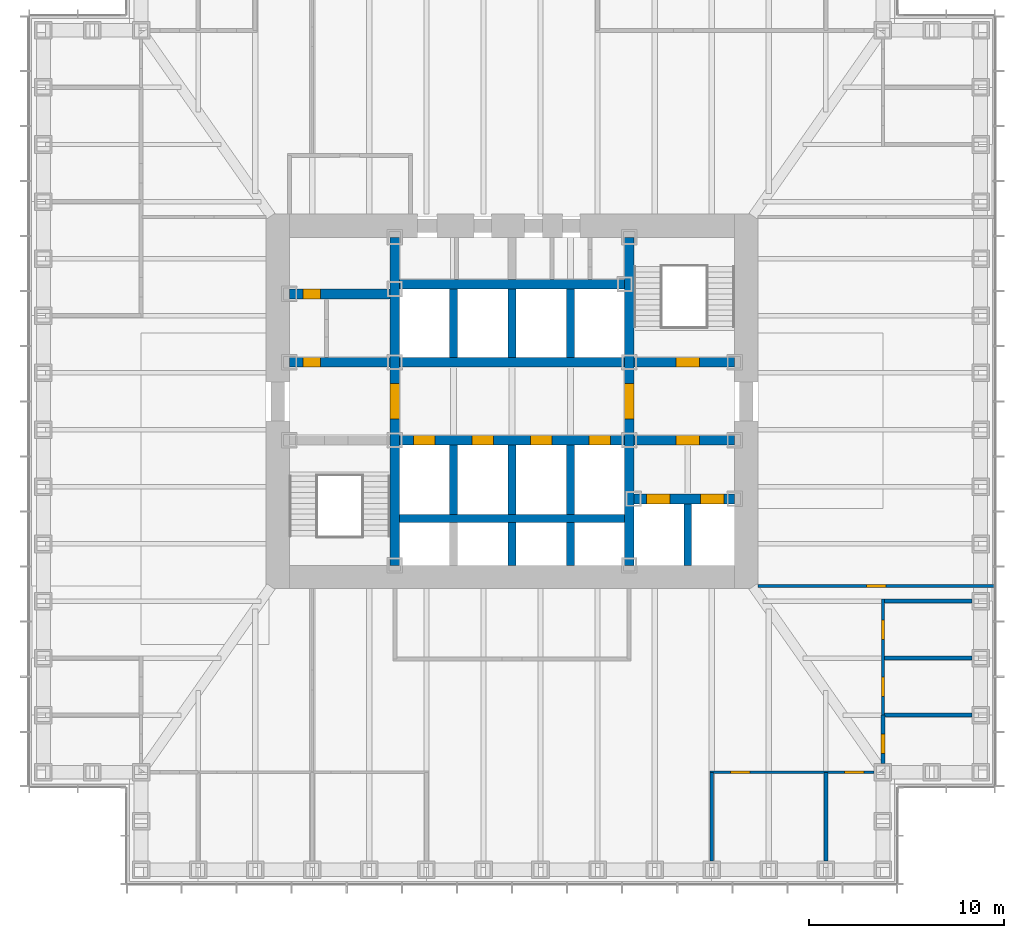
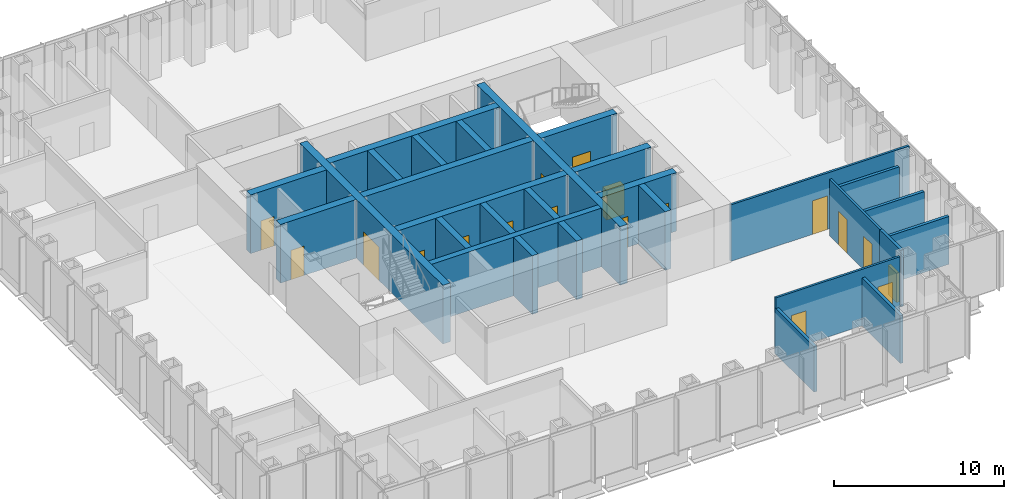
# One storey, part 9 of 17: 29 walls, 18 doors, 18 openings.
"""IFC4 building model written with IfcOpenShell, lengths in metres."""

import ifcopenshell
import ifcopenshell.guid

model = None  # the IFC model being written
_history = None  # IfcOwnerHistory: only IFC2X3 demands one
_inside = {}  # id of a spatial element -> (the spatial element, [elements in it])
_under = {}  # id of a project, library or spatial element -> (it, [spatial elements below it])
_declared = {}  # id of a project -> (the project, [libraries it declares])
_typed = {}  # id of a type object -> (the type object, [elements of that type])
_made_of = {}  # id of a material, layer set ... -> (it, [elements and type objects made of it])


def new_model(schema):
    """Start an empty IFC model of exactly this schema.

    Asked for "IFC4X3", IfcOpenShell would pick the latest addendum, in which some entities
    have other attributes; the version numbers below select the first issue.
    IFC2X3 requires an IfcOwnerHistory on every rooted entity: one is made here for all.
    """
    global model, _history
    if schema == "IFC4X3":
        model = ifcopenshell.file(schema_version=(4, 3, 0, 0))
    else:
        model = ifcopenshell.file(schema=schema)
    _inside.clear()
    _under.clear()
    _declared.clear()
    _typed.clear()
    _made_of.clear()
    _history = None
    if model.schema == "IFC2X3":
        org = make("IfcOrganization", Name="unknown")
        user = make(
            "IfcPersonAndOrganization",
            ThePerson=make("IfcPerson", FamilyName="unknown"),
            TheOrganization=org,
        )
        app = make(
            "IfcApplication",
            ApplicationDeveloper=org,
            Version="unknown",
            ApplicationFullName="unknown",
            ApplicationIdentifier="unknown",
        )
        _history = make(
            "IfcOwnerHistory",
            OwningUser=user,
            OwningApplication=app,
            ChangeAction="ADDED",
            CreationDate=0,
        )
    return model


def make(cls, **values):
    """One entity of the class cls with the attributes given. An attribute that is None is left unset."""
    return model.create_entity(
        cls, **{name: value for name, value in values.items() if value is not None}
    )


def rooted(cls, **values):
    """An entity with a GlobalId (a new one), such as an element, a storey or a relation."""
    return make(cls, GlobalId=ifcopenshell.guid.new(), OwnerHistory=_history, **values)


def si_unit(unit_type, name, prefix=None):
    """IfcSIUnit, for example si_unit("LENGTHUNIT", "METRE", prefix="MILLI")."""
    return make("IfcSIUnit", UnitType=unit_type, Prefix=prefix, Name=name)


def assignment(units):
    """IfcUnitAssignment: the units of a project."""
    return None if units is None else make("IfcUnitAssignment", Units=units)


def point(xyz):
    """IfcCartesianPoint."""
    return None if xyz is None else make("IfcCartesianPoint", Coordinates=xyz)


def direction(xyz):
    """IfcDirection."""
    return None if xyz is None else make("IfcDirection", DirectionRatios=xyz)


def frame(location, z_axis=None, x_axis=None):
    """IfcAxis2Placement3D, a coordinate frame: its origin and axes. An axis left out is left unset."""
    return make(
        "IfcAxis2Placement3D",
        Location=point(location),
        Axis=direction(z_axis),
        RefDirection=direction(x_axis),
    )


def frame_2d(location, x_axis=None):
    """IfcAxis2Placement2D, a coordinate frame in the plane: its origin and x axis."""
    return make(
        "IfcAxis2Placement2D", Location=point(location), RefDirection=direction(x_axis)
    )


def origin():
    """The frame at (0, 0, 0) with its axes left unset."""
    return frame((0.0, 0.0, 0.0))


def place(relative_to, where):
    """IfcLocalPlacement: puts the frame where relative to a parent placement (None: the world)."""
    return make(
        "IfcLocalPlacement", PlacementRelTo=relative_to, RelativePlacement=where
    )


def context(
    kind, dimensions, precision=None, world=None, true_north=None, identifier=None
):
    """IfcGeometricRepresentationContext, for example the 3D "Model" context."""
    return make(
        "IfcGeometricRepresentationContext",
        ContextIdentifier=identifier,
        ContextType=kind,
        CoordinateSpaceDimension=dimensions,
        Precision=precision,
        WorldCoordinateSystem=world,
        TrueNorth=true_north,
    )


def subcontext(parent, identifier, kind, view, scale=None):
    """IfcGeometricRepresentationSubContext, for example "Body" below "Model"."""
    return make(
        "IfcGeometricRepresentationSubContext",
        ContextIdentifier=identifier,
        ContextType=kind,
        ParentContext=parent,
        TargetScale=scale,
        TargetView=view,
    )


def project(units=None, contexts=None):
    """IfcProject with its units and contexts."""
    return rooted(
        "IfcProject",
        Name="project",
        RepresentationContexts=contexts,
        UnitsInContext=assignment(units),
    )


def spatial(cls, under=None, at=None, **own):
    """A site, building, storey or space (cls), placed at a placement, below another one or the project."""
    s = rooted(cls, ObjectPlacement=at, **own)
    if under is not None:
        _under.setdefault(under.id(), (under, []))[1].append(s)
    return s


def profile(cls, at=None, kind="AREA", **sizes):
    """A parametric profile (cls). Its sizes go by their IFC names, for example OverallWidth=200.0."""
    return make(cls, ProfileType=kind, Position=at, **sizes)


def rectangle(**sizes):
    """IfcRectangleProfileDef."""
    return profile("IfcRectangleProfileDef", **sizes)


def extrude(swept, where, along, depth):
    """IfcExtrudedAreaSolid: the profile swept, set in the frame where, extruded along a direction by depth."""
    return make(
        "IfcExtrudedAreaSolid",
        SweptArea=swept,
        Position=where,
        ExtrudedDirection=direction(along),
        Depth=depth,
    )


def shape(context_of_items, identifier, shape_type, items):
    """IfcShapeRepresentation: the items that make up one representation, for example the "Body"."""
    return make(
        "IfcShapeRepresentation",
        ContextOfItems=context_of_items,
        RepresentationIdentifier=identifier,
        RepresentationType=shape_type,
        Items=items,
    )


def material(Name=None, Category=None):
    """IfcMaterial."""
    return make("IfcMaterial", Name=Name, Category=Category)


def layer(
    of_material, thickness, ventilated=None, Name=None, Category=None, Priority=None
):
    """IfcMaterialLayer: one layer of a wall or slab, of a material (None: an air gap)."""
    return make(
        "IfcMaterialLayer",
        Material=of_material,
        LayerThickness=thickness,
        IsVentilated=ventilated,
        Name=Name,
        Category=Category,
        Priority=Priority,
    )


def layer_set(layers, Name=None):
    """IfcMaterialLayerSet."""
    return make("IfcMaterialLayerSet", MaterialLayers=layers, LayerSetName=Name)


def made_of(thing, what):
    """Note that an element or type object is made of a material, layer set ...; save() writes the relation."""
    if what is not None:
        _made_of.setdefault(what.id(), (what, []))[1].append(thing)
    return thing


def type_object(cls, material=None, **own):
    """A type object (cls), such as IfcWallType, which elements share."""
    return made_of(rooted(cls, **own), material)


def element(
    cls,
    number,
    at=None,
    inside=None,
    cuts=None,
    type_object=None,
    material=None,
    context=None,
    identifier="Body",
    shape_type=None,
    held_by="IfcProductDefinitionShape",
    body=None,
    shapes=None,
    **own,
):
    """One element of the class cls, such as IfcWall. Its Tag is "e" and its number.

    at: its placement. inside: the storey or other place that contains it. cuts: it is an
    opening in that element (IfcRelVoidsElement). A single representation is given by context,
    identifier, shape_type and body (its items); several are given by shapes. held_by: the class
    of the entity that holds the representations. save() writes the other relations.
    """
    e = rooted(cls, Tag="e%d" % number, ObjectPlacement=at, **own)
    if body is not None:
        shapes = [shape(context, identifier, shape_type, body)]
    if shapes is not None:
        e.Representation = make(held_by, Representations=shapes)
    if inside is not None:
        _inside.setdefault(inside.id(), (inside, []))[1].append(e)
    if cuts is not None:
        rooted(
            "IfcRelVoidsElement", RelatingBuildingElement=cuts, RelatedOpeningElement=e
        )
    if type_object is not None:
        _typed.setdefault(type_object.id(), (type_object, []))[1].append(e)
    return made_of(e, material)


def fill(opening, filler):
    """IfcRelFillsElement: the door or window that sits in an opening."""
    return rooted(
        "IfcRelFillsElement",
        RelatingOpeningElement=opening,
        RelatedBuildingElement=filler,
    )


def aggregate(whole, parts):
    """IfcRelAggregates: a whole, such as a stair, and the parts it consists of."""
    return rooted("IfcRelAggregates", RelatingObject=whole, RelatedObjects=parts)


def save(model, path):
    """Write the relations noted so far, then the file.

    IfcRelAggregates (storeys below a building ...), IfcRelContainedInSpatialStructure (elements
    in a storey), IfcRelDefinesByType, IfcRelAssociatesMaterial and IfcRelDeclares: one each for
    every whole, place, type object, material and project.
    """
    for whole, parts in _under.values():
        aggregate(whole, parts)
    for where, things in _inside.values():
        rooted(
            "IfcRelContainedInSpatialStructure",
            RelatedElements=things,
            RelatingStructure=where,
        )
    for kind, things in _typed.values():
        rooted("IfcRelDefinesByType", RelatedObjects=things, RelatingType=kind)
    for what, things in _made_of.values():
        rooted("IfcRelAssociatesMaterial", RelatedObjects=things, RelatingMaterial=what)
    for by, libraries in _declared.values():
        rooted("IfcRelDeclares", RelatingContext=by, RelatedDefinitions=libraries)
    model.write(path)


model = new_model("IFC4")

# Units and contexts
model_context = context("Model", 3, precision=1e-05, world=origin(), true_north=direction((0.0, 1.0)))
body_context = subcontext(model_context, "Body", "Model", "MODEL_VIEW")
ifc_project = project(units=[si_unit("LENGTHUNIT", "METRE"), si_unit("AREAUNIT", "SQUARE_METRE"), si_unit("VOLUMEUNIT", "CUBIC_METRE"), si_unit("PLANEANGLEUNIT", "RADIAN"), si_unit("MASSUNIT", "GRAM", prefix="KILO")], contexts=[model_context])

# Site, building, storey
site_placement = place(None, origin())
site = spatial("IfcSite", under=ifc_project, at=site_placement, CompositionType="ELEMENT")
building_placement = place(site_placement, origin())
building = spatial("IfcBuilding", under=site, at=building_placement, Name="Daluyong Arena Tower", CompositionType="ELEMENT")
storey_placement = place(building_placement, frame((0.0, 0.0, 81.10009765625)))
storey = spatial("IfcBuildingStorey", under=building, at=storey_placement, Name="L17", CompositionType="ELEMENT", Elevation=81.10009765625)

# Wall, opening, door
ifc_material_1 = material(Name="Concrete fc' 45 MPa", Category="concrete")
ifc_layer_1 = layer(ifc_material_1, 0.5)
ifc_layer_set_1 = layer_set([ifc_layer_1], Name="Concrete fc' 45 MPa")
wall_type_1 = type_object("IfcWallType", Name="Core inner wall 500", PredefinedType="SHEAR", material=ifc_layer_set_1)
wall_1_placement = place(storey_placement, frame((50.0, 71.60009765625, 0.0), z_axis=(0.0, 0.0, 1.0), x_axis=(0.0, 1.0, 0.0)))
wall_1 = element("IfcWall", 1, at=wall_1_placement, inside=storey, type_object=wall_type_1, Name="core inner wall at L17", PredefinedType="SHEAR", context=body_context, shape_type="SweptSolid", body=[
    extrude(rectangle(XDim=16.7998046875, YDim=0.5, at=frame_2d((8.39990234375, 0.0))), origin(), (0.0, 0.0, 1.0), 4.199951171875),
])
opening_1_placement = place(wall_1_placement, frame((7.5, 0.0, 0.0)))
opening_1 = element("IfcOpeningElement", 2, at=opening_1_placement, cuts=wall_1, Name="Opening 17013", PredefinedType="OPENING", context=body_context, shape_type="SweptSolid", body=[
    extrude(rectangle(XDim=1.800048828125, YDim=2.39990234375, at=frame_2d((0.89990234375, 1.199951171875))), frame((0.0, 0.260009765625, 0.0), z_axis=(0.0, -1.0, 0.0), x_axis=(1.0, 0.0, 0.0)), (0.0, 0.0, 1.0), 0.52001953125),
])
ifc_material_2 = material(Name="Steel door, fire rated", Category="steel")
door_type_1 = type_object("IfcDoorType", Name="Lift lobby opening door 1800", OperationType="DOUBLE_DOOR_SINGLE_SWING", PredefinedType="DOOR", material=ifc_material_2)
door_1_placement = place(opening_1_placement, origin())
door_1 = element("IfcDoor", 3, at=door_1_placement, inside=storey, type_object=door_type_1, Name="lift lobby door west 17013", OperationType="DOUBLE_DOOR_SINGLE_SWING", OverallHeight=2.39990234375, OverallWidth=1.800048828125, PredefinedType="DOOR", context=body_context, shape_type="SweptSolid", body=[
    extrude(rectangle(XDim=1.800048828125, YDim=2.39990234375, at=frame_2d((0.89990234375, 1.199951171875))), frame((0.0, 0.249755859375, 0.0), z_axis=(0.0, -1.0, 0.0), x_axis=(1.0, 0.0, 0.0)), (0.0, 0.0, 1.0), 0.49951171875),
])
fill(opening_1, door_1)

wall_2_placement = place(storey_placement, frame((62.0, 71.60009765625, 0.0), z_axis=(0.0, 0.0, 1.0), x_axis=(0.0, 1.0, 0.0)))
wall_2 = element("IfcWall", 4, at=wall_2_placement, inside=storey, type_object=wall_type_1, Name="core inner wall at L17", PredefinedType="SHEAR", context=body_context, shape_type="SweptSolid", body=[
    extrude(rectangle(XDim=16.7998046875, YDim=0.5, at=frame_2d((8.39990234375, 0.0))), origin(), (0.0, 0.0, 1.0), 4.199951171875),
])
opening_2_placement = place(wall_2_placement, frame((7.5, 0.0, 0.0)))
opening_2 = element("IfcOpeningElement", 5, at=opening_2_placement, cuts=wall_2, Name="Opening 17014", PredefinedType="OPENING", context=body_context, shape_type="SweptSolid", body=[
    extrude(rectangle(XDim=1.800048828125, YDim=2.39990234375, at=frame_2d((0.89990234375, 1.199951171875))), frame((0.0, 0.260009765625, 0.0), z_axis=(0.0, -1.0, 0.0), x_axis=(1.0, 0.0, 0.0)), (0.0, 0.0, 1.0), 0.52001953125),
])
door_2_placement = place(opening_2_placement, origin())
door_2 = element("IfcDoor", 6, at=door_2_placement, inside=storey, type_object=door_type_1, Name="lift lobby door east 17014", OperationType="DOUBLE_DOOR_SINGLE_SWING", OverallHeight=2.39990234375, OverallWidth=1.800048828125, PredefinedType="DOOR", context=body_context, shape_type="SweptSolid", body=[
    extrude(rectangle(XDim=1.800048828125, YDim=2.39990234375, at=frame_2d((0.89990234375, 1.199951171875))), frame((0.0, 0.249755859375, 0.0), z_axis=(0.0, -1.0, 0.0), x_axis=(1.0, 0.0, 0.0)), (0.0, 0.0, 1.0), 0.49951171875),
])
fill(opening_2, door_2)

wall_3_placement = place(storey_placement, frame((44.60009765625, 82.0, 0.0), z_axis=(0.0, 0.0, 1.0), x_axis=(1.0, 0.0, 0.0)))
wall_3 = element("IfcWall", 7, at=wall_3_placement, inside=storey, type_object=wall_type_1, Name="core inner wall at L17", PredefinedType="SHEAR", context=body_context, shape_type="SweptSolid", body=[
    extrude(rectangle(XDim=5.14990234375, YDim=0.5, at=frame_2d((2.574951171875, 0.0))), origin(), (0.0, 0.0, 1.0), 4.199951171875),
])
opening_3_placement = place(wall_3_placement, frame((0.699951171875, 0.0, 0.0)))
opening_3 = element("IfcOpeningElement", 8, at=opening_3_placement, cuts=wall_3, Name="Opening 17001", PredefinedType="OPENING", context=body_context, shape_type="SweptSolid", body=[
    extrude(rectangle(XDim=0.89990234375, YDim=2.10009765625, at=frame_2d((0.449951171875, 1.050048828125))), frame((0.0, 0.260009765625, 0.0), z_axis=(0.0, -1.0, 0.0), x_axis=(1.0, 0.0, 0.0)), (0.0, 0.0, 1.0), 0.52001953125),
])
ifc_material_3 = material(Name="Steel door, fire rated", Category="steel")
door_type_2 = type_object("IfcDoorType", Name="Core room door 900", OperationType="SINGLE_SWING_LEFT", PredefinedType="DOOR", material=ifc_material_3)
door_3_placement = place(opening_3_placement, origin())
door_3 = element("IfcDoor", 9, at=door_3_placement, inside=storey, type_object=door_type_2, Name="toilet lobby door 17001", OperationType="SINGLE_SWING_LEFT", OverallHeight=2.10009765625, OverallWidth=0.89990234375, PredefinedType="DOOR", context=body_context, shape_type="SweptSolid", body=[
    extrude(rectangle(XDim=0.89990234375, YDim=2.10009765625, at=frame_2d((0.449951171875, 1.050048828125))), frame((0.0, 0.249755859375, 0.0), z_axis=(0.0, -1.0, 0.0), x_axis=(1.0, 0.0, 0.0)), (0.0, 0.0, 1.0), 0.49951171875),
])
fill(opening_3, door_3)

wall_4_placement = place(storey_placement, frame((44.60009765625, 85.5, 0.0), z_axis=(0.0, 0.0, 1.0), x_axis=(1.0, 0.0, 0.0)))
wall_4 = element("IfcWall", 10, at=wall_4_placement, inside=storey, type_object=wall_type_1, Name="core inner wall at L17", PredefinedType="SHEAR", context=body_context, shape_type="SweptSolid", body=[
    extrude(rectangle(XDim=5.14990234375, YDim=0.5, at=frame_2d((2.574951171875, 0.0))), origin(), (0.0, 0.0, 1.0), 4.199951171875),
])
opening_4_placement = place(wall_4_placement, frame((0.699951171875, 0.0, 0.0)))
opening_4 = element("IfcOpeningElement", 11, at=opening_4_placement, cuts=wall_4, Name="Opening 17003", PredefinedType="OPENING", context=body_context, shape_type="SweptSolid", body=[
    extrude(rectangle(XDim=0.89990234375, YDim=2.10009765625, at=frame_2d((0.449951171875, 1.050048828125))), frame((0.0, 0.260009765625, 0.0), z_axis=(0.0, -1.0, 0.0), x_axis=(1.0, 0.0, 0.0)), (0.0, 0.0, 1.0), 0.52001953125),
])
ifc_material_4 = material(Name="Timber door", Category="wood")
door_type_3 = type_object("IfcDoorType", Name="Toilet door 900", OperationType="SINGLE_SWING_RIGHT", PredefinedType="DOOR", material=ifc_material_4)
door_4_placement = place(opening_4_placement, origin())
door_4 = element("IfcDoor", 12, at=door_4_placement, inside=storey, type_object=door_type_3, Name="female toilet door 17003", OperationType="SINGLE_SWING_RIGHT", OverallHeight=2.10009765625, OverallWidth=0.89990234375, PredefinedType="DOOR", context=body_context, shape_type="SweptSolid", body=[
    extrude(rectangle(XDim=0.89990234375, YDim=2.10009765625, at=frame_2d((0.449951171875, 1.050048828125))), frame((0.0, 0.249755859375, 0.0), z_axis=(0.0, -1.0, 0.0), x_axis=(1.0, 0.0, 0.0)), (0.0, 0.0, 1.0), 0.49951171875),
])
fill(opening_4, door_4)

# Wall, openings, doors
wall_5_placement = place(storey_placement, frame((62.25, 75.0, 0.0), z_axis=(0.0, 0.0, 1.0), x_axis=(1.0, 0.0, 0.0)))
wall_5 = element("IfcWall", 13, at=wall_5_placement, inside=storey, type_object=wall_type_1, Name="core inner wall at L17", PredefinedType="SHEAR", context=body_context, shape_type="SweptSolid", body=[
    extrude(rectangle(XDim=5.14990234375, YDim=0.5, at=frame_2d((2.574951171875, 0.0))), origin(), (0.0, 0.0, 1.0), 4.199951171875),
])
opening_5_placement = place(wall_5_placement, frame((0.64990234375, 0.0, 0.0)))
opening_5 = element("IfcOpeningElement", 14, at=opening_5_placement, cuts=wall_5, Name="Opening 17020", PredefinedType="OPENING", context=body_context, shape_type="SweptSolid", body=[
    extrude(rectangle(XDim=1.199951171875, YDim=2.199951171875, at=frame_2d((0.60009765625, 1.10009765625))), frame((0.0, 0.260009765625, 0.0), z_axis=(0.0, -1.0, 0.0), x_axis=(1.0, 0.0, 0.0)), (0.0, 0.0, 1.0), 0.52001953125),
])
opening_6_placement = place(wall_5_placement, frame((3.39990234375, 0.0, 0.0)))
opening_6 = element("IfcOpeningElement", 15, at=opening_6_placement, cuts=wall_5, Name="Opening 17021", PredefinedType="OPENING", context=body_context, shape_type="SweptSolid", body=[
    extrude(rectangle(XDim=1.199951171875, YDim=2.199951171875, at=frame_2d((0.60009765625, 1.10009765625))), frame((0.0, 0.260009765625, 0.0), z_axis=(0.0, -1.0, 0.0), x_axis=(1.0, 0.0, 0.0)), (0.0, 0.0, 1.0), 0.52001953125),
])
ifc_material_5 = material(Name="Steel door, fire rated", Category="steel")
door_type_4 = type_object("IfcDoorType", Name="Firefighting lift landing door 1200", OperationType="SLIDING_TO_LEFT", PredefinedType="DOOR", material=ifc_material_5)
door_5_placement = place(opening_5_placement, origin())
door_5 = element("IfcDoor", 16, at=door_5_placement, inside=storey, type_object=door_type_4, Name="firefighting lift landing door F1 17020", OperationType="SLIDING_TO_LEFT", OverallHeight=2.199951171875, OverallWidth=1.199951171875, PredefinedType="DOOR", context=body_context, shape_type="SweptSolid", body=[
    extrude(rectangle(XDim=1.199951171875, YDim=2.199951171875, at=frame_2d((0.60009765625, 1.10009765625))), frame((0.0, 0.249755859375, 0.0), z_axis=(0.0, -1.0, 0.0), x_axis=(1.0, 0.0, 0.0)), (0.0, 0.0, 1.0), 0.49951171875),
])
fill(opening_5, door_5)
door_6_placement = place(opening_6_placement, origin())
door_6 = element("IfcDoor", 17, at=door_6_placement, inside=storey, type_object=door_type_4, Name="firefighting lift landing door F2 17021", OperationType="SLIDING_TO_LEFT", OverallHeight=2.199951171875, OverallWidth=1.199951171875, PredefinedType="DOOR", context=body_context, shape_type="SweptSolid", body=[
    extrude(rectangle(XDim=1.199951171875, YDim=2.199951171875, at=frame_2d((0.60009765625, 1.10009765625))), frame((0.0, 0.249755859375, 0.0), z_axis=(0.0, -1.0, 0.0), x_axis=(1.0, 0.0, 0.0)), (0.0, 0.0, 1.0), 0.49951171875),
])
fill(opening_6, door_6)

# Wall, opening, door
wall_6_placement = place(storey_placement, frame((62.25, 78.0, 0.0), z_axis=(0.0, 0.0, 1.0), x_axis=(1.0, 0.0, 0.0)))
wall_6 = element("IfcWall", 18, at=wall_6_placement, inside=storey, type_object=wall_type_1, Name="core inner wall at L17", PredefinedType="SHEAR", context=body_context, shape_type="SweptSolid", body=[
    extrude(rectangle(XDim=5.14990234375, YDim=0.5, at=frame_2d((2.574951171875, 0.0))), origin(), (0.0, 0.0, 1.0), 4.199951171875),
])
opening_7_placement = place(wall_6_placement, frame((2.14990234375, 0.0, 0.0)))
opening_7 = element("IfcOpeningElement", 19, at=opening_7_placement, cuts=wall_6, Name="Opening 17015", PredefinedType="OPENING", context=body_context, shape_type="SweptSolid", body=[
    extrude(rectangle(XDim=1.199951171875, YDim=2.10009765625, at=frame_2d((0.60009765625, 1.050048828125))), frame((0.0, 0.260009765625, 0.0), z_axis=(0.0, -1.0, 0.0), x_axis=(1.0, 0.0, 0.0)), (0.0, 0.0, 1.0), 0.52001953125),
])
ifc_material_6 = material(Name="Steel door, fire rated", Category="steel")
door_type_5 = type_object("IfcDoorType", Name="Firefighting lobby door 1200", OperationType="SINGLE_SWING_RIGHT", PredefinedType="DOOR", material=ifc_material_6)
door_7_placement = place(opening_7_placement, origin())
door_7 = element("IfcDoor", 20, at=door_7_placement, inside=storey, type_object=door_type_5, Name="firefighting lobby door 17015", OperationType="SINGLE_SWING_RIGHT", OverallHeight=2.10009765625, OverallWidth=1.199951171875, PredefinedType="DOOR", context=body_context, shape_type="SweptSolid", body=[
    extrude(rectangle(XDim=1.199951171875, YDim=2.10009765625, at=frame_2d((0.60009765625, 1.050048828125))), frame((0.0, 0.249755859375, 0.0), z_axis=(0.0, -1.0, 0.0), x_axis=(1.0, 0.0, 0.0)), (0.0, 0.0, 1.0), 0.49951171875),
])
fill(opening_7, door_7)

wall_7_placement = place(storey_placement, frame((62.25, 82.0, 0.0), z_axis=(0.0, 0.0, 1.0), x_axis=(1.0, 0.0, 0.0)))
wall_7 = element("IfcWall", 21, at=wall_7_placement, inside=storey, type_object=wall_type_1, Name="core inner wall at L17", PredefinedType="SHEAR", context=body_context, shape_type="SweptSolid", body=[
    extrude(rectangle(XDim=5.14990234375, YDim=0.5, at=frame_2d((2.574951171875, 0.0))), origin(), (0.0, 0.0, 1.0), 4.199951171875),
])
opening_8_placement = place(wall_7_placement, frame((2.14990234375, 0.0, 0.0)))
opening_8 = element("IfcOpeningElement", 22, at=opening_8_placement, cuts=wall_7, Name="Opening 17010", PredefinedType="OPENING", context=body_context, shape_type="SweptSolid", body=[
    extrude(rectangle(XDim=1.199951171875, YDim=2.10009765625, at=frame_2d((0.60009765625, 1.050048828125))), frame((0.0, 0.260009765625, 0.0), z_axis=(0.0, -1.0, 0.0), x_axis=(1.0, 0.0, 0.0)), (0.0, 0.0, 1.0), 0.52001953125),
])
ifc_material_7 = material(Name="Steel door, fire rated", Category="steel")
door_type_6 = type_object("IfcDoorType", Name="Stair door 1200", OperationType="SINGLE_SWING_LEFT", PredefinedType="DOOR", material=ifc_material_7)
door_8_placement = place(opening_8_placement, origin())
door_8 = element("IfcDoor", 23, at=door_8_placement, inside=storey, type_object=door_type_6, Name="stair B door 17010", OperationType="SINGLE_SWING_LEFT", OverallHeight=2.10009765625, OverallWidth=1.199951171875, PredefinedType="DOOR", context=body_context, shape_type="SweptSolid", body=[
    extrude(rectangle(XDim=1.199951171875, YDim=2.10009765625, at=frame_2d((0.60009765625, 1.050048828125))), frame((0.0, 0.249755859375, 0.0), z_axis=(0.0, -1.0, 0.0), x_axis=(1.0, 0.0, 0.0)), (0.0, 0.0, 1.0), 0.49951171875),
])
fill(opening_8, door_8)

# Wall, openings, doors
wall_8_placement = place(storey_placement, frame((50.25, 78.0, 0.0), z_axis=(0.0, 0.0, 1.0), x_axis=(1.0, 0.0, 0.0)))
wall_8 = element("IfcWall", 24, at=wall_8_placement, inside=storey, type_object=wall_type_1, Name="core inner wall at L17", PredefinedType="SHEAR", context=body_context, shape_type="SweptSolid", body=[
    extrude(rectangle(XDim=11.5, YDim=0.5, at=frame_2d((5.75, 0.0))), origin(), (0.0, 0.0, 1.0), 4.199951171875),
])
opening_9_placement = place(wall_8_placement, frame((0.699951171875, 0.0, 0.0)))
opening_9 = element("IfcOpeningElement", 25, at=opening_9_placement, cuts=wall_8, Name="Opening 17016", PredefinedType="OPENING", context=body_context, shape_type="SweptSolid", body=[
    extrude(rectangle(XDim=1.10009765625, YDim=2.199951171875, at=frame_2d((0.550048828125, 1.10009765625))), frame((0.0, 0.260009765625, 0.0), z_axis=(0.0, -1.0, 0.0), x_axis=(1.0, 0.0, 0.0)), (0.0, 0.0, 1.0), 0.52001953125),
])
opening_10_placement = place(wall_8_placement, frame((3.699951171875, 0.0, 0.0)))
opening_10 = element("IfcOpeningElement", 26, at=opening_10_placement, cuts=wall_8, Name="Opening 17017", PredefinedType="OPENING", context=body_context, shape_type="SweptSolid", body=[
    extrude(rectangle(XDim=1.10009765625, YDim=2.199951171875, at=frame_2d((0.550048828125, 1.10009765625))), frame((0.0, 0.260009765625, 0.0), z_axis=(0.0, -1.0, 0.0), x_axis=(1.0, 0.0, 0.0)), (0.0, 0.0, 1.0), 0.52001953125),
])
opening_11_placement = place(wall_8_placement, frame((6.699951171875, 0.0, 0.0)))
opening_11 = element("IfcOpeningElement", 27, at=opening_11_placement, cuts=wall_8, Name="Opening 17018", PredefinedType="OPENING", context=body_context, shape_type="SweptSolid", body=[
    extrude(rectangle(XDim=1.10009765625, YDim=2.199951171875, at=frame_2d((0.550048828125, 1.10009765625))), frame((0.0, 0.260009765625, 0.0), z_axis=(0.0, -1.0, 0.0), x_axis=(1.0, 0.0, 0.0)), (0.0, 0.0, 1.0), 0.52001953125),
])
opening_12_placement = place(wall_8_placement, frame((9.699951171875, 0.0, 0.0)))
opening_12 = element("IfcOpeningElement", 28, at=opening_12_placement, cuts=wall_8, Name="Opening 17019", PredefinedType="OPENING", context=body_context, shape_type="SweptSolid", body=[
    extrude(rectangle(XDim=1.10009765625, YDim=2.199951171875, at=frame_2d((0.550048828125, 1.10009765625))), frame((0.0, 0.260009765625, 0.0), z_axis=(0.0, -1.0, 0.0), x_axis=(1.0, 0.0, 0.0)), (0.0, 0.0, 1.0), 0.52001953125),
])
ifc_material_8 = material(Name="Steel door, fire rated", Category="steel")
door_type_7 = type_object("IfcDoorType", Name="Lift landing door 1100", OperationType="SLIDING_TO_LEFT", PredefinedType="DOOR", material=ifc_material_8)
door_9_placement = place(opening_9_placement, origin())
door_9 = element("IfcDoor", 29, at=door_9_placement, inside=storey, type_object=door_type_7, Name="lift landing door A1 17016", OperationType="SLIDING_TO_LEFT", OverallHeight=2.199951171875, OverallWidth=1.10009765625, PredefinedType="DOOR", context=body_context, shape_type="SweptSolid", body=[
    extrude(rectangle(XDim=1.10009765625, YDim=2.199951171875, at=frame_2d((0.550048828125, 1.10009765625))), frame((0.0, 0.249755859375, 0.0), z_axis=(0.0, -1.0, 0.0), x_axis=(1.0, 0.0, 0.0)), (0.0, 0.0, 1.0), 0.49951171875),
])
fill(opening_9, door_9)
door_10_placement = place(opening_10_placement, origin())
door_10 = element("IfcDoor", 30, at=door_10_placement, inside=storey, type_object=door_type_7, Name="lift landing door A2 17017", OperationType="SLIDING_TO_LEFT", OverallHeight=2.199951171875, OverallWidth=1.10009765625, PredefinedType="DOOR", context=body_context, shape_type="SweptSolid", body=[
    extrude(rectangle(XDim=1.10009765625, YDim=2.199951171875, at=frame_2d((0.550048828125, 1.10009765625))), frame((0.0, 0.249755859375, 0.0), z_axis=(0.0, -1.0, 0.0), x_axis=(1.0, 0.0, 0.0)), (0.0, 0.0, 1.0), 0.49951171875),
])
fill(opening_10, door_10)
door_11_placement = place(opening_11_placement, origin())
door_11 = element("IfcDoor", 31, at=door_11_placement, inside=storey, type_object=door_type_7, Name="lift landing door A3 17018", OperationType="SLIDING_TO_LEFT", OverallHeight=2.199951171875, OverallWidth=1.10009765625, PredefinedType="DOOR", context=body_context, shape_type="SweptSolid", body=[
    extrude(rectangle(XDim=1.10009765625, YDim=2.199951171875, at=frame_2d((0.550048828125, 1.10009765625))), frame((0.0, 0.249755859375, 0.0), z_axis=(0.0, -1.0, 0.0), x_axis=(1.0, 0.0, 0.0)), (0.0, 0.0, 1.0), 0.49951171875),
])
fill(opening_11, door_11)
door_12_placement = place(opening_12_placement, origin())
door_12 = element("IfcDoor", 32, at=door_12_placement, inside=storey, type_object=door_type_7, Name="lift landing door A4 17019", OperationType="SLIDING_TO_LEFT", OverallHeight=2.199951171875, OverallWidth=1.10009765625, PredefinedType="DOOR", context=body_context, shape_type="SweptSolid", body=[
    extrude(rectangle(XDim=1.10009765625, YDim=2.199951171875, at=frame_2d((0.550048828125, 1.10009765625))), frame((0.0, 0.249755859375, 0.0), z_axis=(0.0, -1.0, 0.0), x_axis=(1.0, 0.0, 0.0)), (0.0, 0.0, 1.0), 0.49951171875),
])
fill(opening_12, door_12)

# Walls
for number, where, z_axis, x_axis, name in (
    (33, (50.25, 82.0, 0.0), (0.0, 0.0, 1.0), (1.0, 0.0, 0.0), "core inner wall at L17"),
    (34, (50.25, 86.0, 0.0), (0.0, 0.0, 1.0), (1.0, 0.0, 0.0), "core inner wall at L17"),
):
    element("IfcWall", number, at=place(storey_placement, frame(where, z_axis=z_axis, x_axis=x_axis)), inside=storey, type_object=wall_type_1, Name=name, PredefinedType="SHEAR", context=body_context, shape_type="SweptSolid", body=[
        extrude(rectangle(XDim=11.5, YDim=0.5, at=frame_2d((5.75, 0.0))), origin(), (0.0, 0.0, 1.0), 4.199951171875),
    ])

# Wall, openings, doors
ifc_material_9 = material(Name="Glazed aluminium partition", Category="aluminium")
ifc_layer_2 = layer(ifc_material_9, 0.14990234375)
ifc_layer_set_2 = layer_set([ifc_layer_2], Name="Glazed aluminium partition")
wall_type_2 = type_object("IfcWallType", Name="Glazed partition 150", PredefinedType="PARTITIONING", material=ifc_layer_set_2)
wall_9_placement = place(storey_placement, frame((66.130859375, 61.0, 0.0), z_axis=(0.0, 0.0, 1.0), x_axis=(1.0, 0.0, 0.0)))
wall_9 = element("IfcWall", 35, at=wall_9_placement, inside=storey, type_object=wall_type_2, Name="glazed partition at L17", PredefinedType="PARTITIONING", context=body_context, shape_type="SweptSolid", body=[
    extrude(rectangle(XDim=8.419189453125, YDim=0.14990234375, at=frame_2d((4.20947265625, 0.0))), origin(), (0.0, 0.0, 1.0), 4.039794921875),
])
opening_13_placement = place(wall_9_placement, frame((1.0615234375, 0.0, 0.0)))
opening_13 = element("IfcOpeningElement", 36, at=opening_13_placement, cuts=wall_9, Name="Opening 17025", PredefinedType="OPENING", context=body_context, shape_type="SweptSolid", body=[
    extrude(rectangle(XDim=1.0, YDim=2.39990234375, at=frame_2d((0.5, 1.199951171875))), frame((0.0, 0.0849609375, 0.0), z_axis=(0.0, -1.0, 0.0), x_axis=(1.0, 0.0, 0.0)), (0.0, 0.0, 1.0), 0.169921875),
])
opening_14_placement = place(wall_9_placement, frame((6.90771484375, 0.0, 0.0)))
opening_14 = element("IfcOpeningElement", 37, at=opening_14_placement, cuts=wall_9, Name="Opening 17026", PredefinedType="OPENING", context=body_context, shape_type="SweptSolid", body=[
    extrude(rectangle(XDim=1.0, YDim=2.39990234375, at=frame_2d((0.5, 1.199951171875))), frame((0.0, 0.0849609375, 0.0), z_axis=(0.0, -1.0, 0.0), x_axis=(1.0, 0.0, 0.0)), (0.0, 0.0, 1.0), 0.169921875),
])
ifc_material_10 = material(Name="Glazed aluminium door", Category="aluminium")
door_type_8 = type_object("IfcDoorType", Name="Meeting room glazed door 1000", OperationType="SINGLE_SWING_RIGHT", PredefinedType="DOOR", material=ifc_material_10)
door_13_placement = place(opening_13_placement, origin())
door_13 = element("IfcDoor", 38, at=door_13_placement, inside=storey, type_object=door_type_8, Name="meeting room door 17025", OperationType="SINGLE_SWING_RIGHT", OverallHeight=2.39990234375, OverallWidth=1.0, PredefinedType="DOOR", context=body_context, shape_type="SweptSolid", body=[
    extrude(rectangle(XDim=1.0, YDim=2.39990234375, at=frame_2d((0.5, 1.199951171875))), frame((0.0, 0.07470703125, 0.0), z_axis=(0.0, -1.0, 0.0), x_axis=(1.0, 0.0, 0.0)), (0.0, 0.0, 1.0), 0.1494140625),
])
fill(opening_13, door_13)
door_14_placement = place(opening_14_placement, origin())
door_14 = element("IfcDoor", 39, at=door_14_placement, inside=storey, type_object=door_type_8, Name="focus room door 17026", OperationType="SINGLE_SWING_RIGHT", OverallHeight=2.39990234375, OverallWidth=1.0, PredefinedType="DOOR", context=body_context, shape_type="SweptSolid", body=[
    extrude(rectangle(XDim=1.0, YDim=2.39990234375, at=frame_2d((0.5, 1.199951171875))), frame((0.0, 0.07470703125, 0.0), z_axis=(0.0, -1.0, 0.0), x_axis=(1.0, 0.0, 0.0)), (0.0, 0.0, 1.0), 0.1494140625),
])
fill(opening_14, door_14)

# Wall, opening, door
wall_10_placement = place(storey_placement, frame((68.60009765625, 70.550048828125, 0.0), z_axis=(0.0, 0.0, 1.0), x_axis=(1.0, 0.0, 0.0)))
wall_10 = element("IfcWall", 40, at=wall_10_placement, inside=storey, type_object=wall_type_2, Name="glazed partition at L17", PredefinedType="PARTITIONING", context=body_context, shape_type="SweptSolid", body=[
    extrude(rectangle(XDim=12.08984375, YDim=0.14990234375, at=frame_2d((6.044921875, 0.0))), origin(), (0.0, 0.0, 1.0), 4.039794921875),
])
opening_15_placement = place(wall_10_placement, frame((5.544921875, 0.0, 0.0)))
opening_15 = element("IfcOpeningElement", 41, at=opening_15_placement, cuts=wall_10, Name="Opening 17044", PredefinedType="OPENING", context=body_context, shape_type="SweptSolid", body=[
    extrude(rectangle(XDim=1.0, YDim=2.39990234375, at=frame_2d((0.5, 1.199951171875))), frame((0.0, 0.0849609375, 0.0), z_axis=(0.0, -1.0, 0.0), x_axis=(1.0, 0.0, 0.0)), (0.0, 0.0, 1.0), 0.169921875),
])
door_15_placement = place(opening_15_placement, origin())
door_15 = element("IfcDoor", 42, at=door_15_placement, inside=storey, type_object=door_type_8, Name="team area screen door 17044", OperationType="SINGLE_SWING_RIGHT", OverallHeight=2.39990234375, OverallWidth=1.0, PredefinedType="DOOR", context=body_context, shape_type="SweptSolid", body=[
    extrude(rectangle(XDim=1.0, YDim=2.39990234375, at=frame_2d((0.5, 1.199951171875))), frame((0.0, 0.07470703125, 0.0), z_axis=(0.0, -1.0, 0.0), x_axis=(1.0, 0.0, 0.0)), (0.0, 0.0, 1.0), 0.1494140625),
])
fill(opening_15, door_15)

# Wall, openings, doors
wall_11_placement = place(storey_placement, frame((75.0, 63.923095703125, 0.0), z_axis=(0.0, 0.0, 1.0), x_axis=(0.0, 1.0, 0.0)))
wall_11 = element("IfcWall", 43, at=wall_11_placement, inside=storey, type_object=wall_type_2, Name="glazed partition at L17", PredefinedType="PARTITIONING", context=body_context, shape_type="SweptSolid", body=[
    extrude(rectangle(XDim=5.946044921875, YDim=0.14990234375, at=frame_2d((2.97314453125, 0.0))), origin(), (0.0, 0.0, 1.0), 4.039794921875),
])
opening_16_placement = place(wall_11_placement, frame((0.96142578125, 0.0, 0.0)))
opening_16 = element("IfcOpeningElement", 44, at=opening_16_placement, cuts=wall_11, Name="Opening 17028", PredefinedType="OPENING", context=body_context, shape_type="SweptSolid", body=[
    extrude(rectangle(XDim=1.0, YDim=2.39990234375, at=frame_2d((0.5, 1.199951171875))), frame((0.0, 0.0849609375, 0.0), z_axis=(0.0, -1.0, 0.0), x_axis=(1.0, 0.0, 0.0)), (0.0, 0.0, 1.0), 0.169921875),
])
opening_17_placement = place(wall_11_placement, frame((3.884521484375, 0.0, 0.0)))
opening_17 = element("IfcOpeningElement", 45, at=opening_17_placement, cuts=wall_11, Name="Opening 17029", PredefinedType="OPENING", context=body_context, shape_type="SweptSolid", body=[
    extrude(rectangle(XDim=1.0, YDim=2.39990234375, at=frame_2d((0.5, 1.199951171875))), frame((0.0, 0.0849609375, 0.0), z_axis=(0.0, -1.0, 0.0), x_axis=(1.0, 0.0, 0.0)), (0.0, 0.0, 1.0), 0.169921875),
])
door_16_placement = place(opening_16_placement, origin())
door_16 = element("IfcDoor", 46, at=door_16_placement, inside=storey, type_object=door_type_8, Name="focus room door 17028", OperationType="SINGLE_SWING_RIGHT", OverallHeight=2.39990234375, OverallWidth=1.0, PredefinedType="DOOR", context=body_context, shape_type="SweptSolid", body=[
    extrude(rectangle(XDim=1.0, YDim=2.39990234375, at=frame_2d((0.5, 1.199951171875))), frame((0.0, 0.07470703125, 0.0), z_axis=(0.0, -1.0, 0.0), x_axis=(1.0, 0.0, 0.0)), (0.0, 0.0, 1.0), 0.1494140625),
])
fill(opening_16, door_16)
door_17_placement = place(opening_17_placement, origin())
door_17 = element("IfcDoor", 47, at=door_17_placement, inside=storey, type_object=door_type_8, Name="focus room door 17029", OperationType="SINGLE_SWING_RIGHT", OverallHeight=2.39990234375, OverallWidth=1.0, PredefinedType="DOOR", context=body_context, shape_type="SweptSolid", body=[
    extrude(rectangle(XDim=1.0, YDim=2.39990234375, at=frame_2d((0.5, 1.199951171875))), frame((0.0, 0.07470703125, 0.0), z_axis=(0.0, -1.0, 0.0), x_axis=(1.0, 0.0, 0.0)), (0.0, 0.0, 1.0), 0.1494140625),
])
fill(opening_17, door_17)

# Walls
ifc_material_11 = material(Name="Concrete fc' 45 MPa", Category="concrete")
ifc_layer_3 = layer(ifc_material_11, 0.39990234375)
ifc_layer_set_3 = layer_set([ifc_layer_3], Name="Concrete fc' 45 MPa")
wall_type_3 = type_object("IfcWallType", Name="Lift shaft wall 400", PredefinedType="SHEAR", material=ifc_layer_set_3)
wall_12_placement = place(storey_placement, frame((50.25, 74.0, 0.0), z_axis=(0.0, 0.0, 1.0), x_axis=(1.0, 0.0, 0.0)))
element("IfcWall", 48, at=wall_12_placement, inside=storey, type_object=wall_type_3, Name="lift shaft wall at L17", PredefinedType="SHEAR", context=body_context, shape_type="SweptSolid", body=[
    extrude(rectangle(XDim=11.5, YDim=0.39990234375, at=frame_2d((5.75, 0.0))), origin(), (0.0, 0.0, 1.0), 4.199951171875),
])
wall_13_placement = place(storey_placement, frame((53.0, 74.199951171875, 0.0), z_axis=(0.0, 0.0, 1.0), x_axis=(0.0, 1.0, 0.0)))
element("IfcWall", 49, at=wall_13_placement, inside=storey, type_object=wall_type_3, Name="lift shaft wall at L17", PredefinedType="SHEAR", context=body_context, shape_type="SweptSolid", body=[
    extrude(rectangle(XDim=3.550048828125, YDim=0.39990234375, at=frame_2d((1.77490234375, 0.0))), origin(), (0.0, 0.0, 1.0), 4.199951171875),
])
wall_14_placement = place(storey_placement, frame((53.0, 82.25, 0.0), z_axis=(0.0, 0.0, 1.0), x_axis=(0.0, 1.0, 0.0)))
element("IfcWall", 50, at=wall_14_placement, inside=storey, type_object=wall_type_3, Name="lift shaft wall at L17", PredefinedType="SHEAR", context=body_context, shape_type="SweptSolid", body=[
    extrude(rectangle(XDim=3.5, YDim=0.39990234375, at=frame_2d((1.75, 0.0))), origin(), (0.0, 0.0, 1.0), 4.199951171875),
])
wall_15_placement = place(storey_placement, frame((56.0, 71.60009765625, 0.0), z_axis=(0.0, 0.0, 1.0), x_axis=(0.0, 1.0, 0.0)))
element("IfcWall", 51, at=wall_15_placement, inside=storey, type_object=wall_type_3, Name="lift shaft wall at L17", PredefinedType="SHEAR", context=body_context, shape_type="SweptSolid", body=[
    extrude(rectangle(XDim=2.199951171875, YDim=0.39990234375, at=frame_2d((1.10009765625, 0.0))), origin(), (0.0, 0.0, 1.0), 4.199951171875),
])
wall_16_placement = place(storey_placement, frame((56.0, 74.199951171875, 0.0), z_axis=(0.0, 0.0, 1.0), x_axis=(0.0, 1.0, 0.0)))
element("IfcWall", 52, at=wall_16_placement, inside=storey, type_object=wall_type_3, Name="lift shaft wall at L17", PredefinedType="SHEAR", context=body_context, shape_type="SweptSolid", body=[
    extrude(rectangle(XDim=3.550048828125, YDim=0.39990234375, at=frame_2d((1.77490234375, 0.0))), origin(), (0.0, 0.0, 1.0), 4.199951171875),
])
wall_17_placement = place(storey_placement, frame((56.0, 82.25, 0.0), z_axis=(0.0, 0.0, 1.0), x_axis=(0.0, 1.0, 0.0)))
element("IfcWall", 53, at=wall_17_placement, inside=storey, type_object=wall_type_3, Name="lift shaft wall at L17", PredefinedType="SHEAR", context=body_context, shape_type="SweptSolid", body=[
    extrude(rectangle(XDim=3.5, YDim=0.39990234375, at=frame_2d((1.75, 0.0))), origin(), (0.0, 0.0, 1.0), 4.199951171875),
])
wall_18_placement = place(storey_placement, frame((59.0, 71.60009765625, 0.0), z_axis=(0.0, 0.0, 1.0), x_axis=(0.0, 1.0, 0.0)))
element("IfcWall", 54, at=wall_18_placement, inside=storey, type_object=wall_type_3, Name="lift shaft wall at L17", PredefinedType="SHEAR", context=body_context, shape_type="SweptSolid", body=[
    extrude(rectangle(XDim=2.199951171875, YDim=0.39990234375, at=frame_2d((1.10009765625, 0.0))), origin(), (0.0, 0.0, 1.0), 4.199951171875),
])
wall_19_placement = place(storey_placement, frame((59.0, 74.199951171875, 0.0), z_axis=(0.0, 0.0, 1.0), x_axis=(0.0, 1.0, 0.0)))
element("IfcWall", 55, at=wall_19_placement, inside=storey, type_object=wall_type_3, Name="lift shaft wall at L17", PredefinedType="SHEAR", context=body_context, shape_type="SweptSolid", body=[
    extrude(rectangle(XDim=3.550048828125, YDim=0.39990234375, at=frame_2d((1.77490234375, 0.0))), origin(), (0.0, 0.0, 1.0), 4.199951171875),
])
wall_20_placement = place(storey_placement, frame((59.0, 82.25, 0.0), z_axis=(0.0, 0.0, 1.0), x_axis=(0.0, 1.0, 0.0)))
element("IfcWall", 56, at=wall_20_placement, inside=storey, type_object=wall_type_3, Name="lift shaft wall at L17", PredefinedType="SHEAR", context=body_context, shape_type="SweptSolid", body=[
    extrude(rectangle(XDim=3.5, YDim=0.39990234375, at=frame_2d((1.75, 0.0))), origin(), (0.0, 0.0, 1.0), 4.199951171875),
])
wall_21_placement = place(storey_placement, frame((65.0, 71.60009765625, 0.0), z_axis=(0.0, 0.0, 1.0), x_axis=(0.0, 1.0, 0.0)))
element("IfcWall", 57, at=wall_21_placement, inside=storey, type_object=wall_type_3, Name="lift shaft wall at L17", PredefinedType="SHEAR", context=body_context, shape_type="SweptSolid", body=[
    extrude(rectangle(XDim=3.14990234375, YDim=0.39990234375, at=frame_2d((1.574951171875, 0.0))), origin(), (0.0, 0.0, 1.0), 4.199951171875),
])
ifc_material_12 = material(Name="Concrete block partition", Category="concrete")
ifc_layer_4 = layer(ifc_material_12, 0.199951171875)
ifc_layer_set_4 = layer_set([ifc_layer_4], Name="Concrete block partition")
wall_type_4 = type_object("IfcWallType", Name="Partition 200", PredefinedType="PARTITIONING", material=ifc_layer_set_4)
wall_22_placement = place(storey_placement, frame((66.230712890625, 56.449951171875, 0.0), z_axis=(0.0, 0.0, 1.0), x_axis=(0.0, 1.0, 0.0)))
element("IfcWall", 58, at=wall_22_placement, inside=storey, type_object=wall_type_4, Name="partition at L17", PredefinedType="PARTITIONING", context=body_context, shape_type="SweptSolid", body=[
    extrude(rectangle(XDim=4.550048828125, YDim=0.199951171875, at=frame_2d((2.27490234375, 0.0))), origin(), (0.0, 0.0, 1.0), 3.27783203125),
])
for number, where, z_axis, x_axis, name in (
    (59, (72.076904296875, 56.449951171875, 0.0), (0.0, 0.0, 1.0), (0.0, 1.0, 0.0), "partition at L17"),
    (60, (75.0, 63.923095703125, 0.0), (0.0, 0.0, 1.0), (1.0, 0.0, 0.0), "partition at L17"),
    (61, (75.0, 66.84619140625, 0.0), (0.0, 0.0, 1.0), (1.0, 0.0, 0.0), "partition at L17"),
    (62, (75.0, 69.769287109375, 0.0), (0.0, 0.0, 1.0), (1.0, 0.0, 0.0), "partition at L17"),
):
    element("IfcWall", number, at=place(storey_placement, frame(where, z_axis=z_axis, x_axis=x_axis)), inside=storey, type_object=wall_type_4, Name=name, PredefinedType="PARTITIONING", context=body_context, shape_type="SweptSolid", body=[
        extrude(rectangle(XDim=4.550048828125, YDim=0.199951171875, at=frame_2d((2.27490234375, 0.0))), origin(), (0.0, 0.0, 1.0), 3.427734375),
    ])

# Wall, opening, door
wall_23_placement = place(storey_placement, frame((75.0, 61.449951171875, 0.0), z_axis=(0.0, 0.0, 1.0), x_axis=(0.0, 1.0, 0.0)))
wall_23 = element("IfcWall", 63, at=wall_23_placement, inside=storey, type_object=wall_type_4, Name="partition at L17", PredefinedType="PARTITIONING", context=body_context, shape_type="SweptSolid", body=[
    extrude(rectangle(XDim=2.47314453125, YDim=0.199951171875, at=frame_2d((1.236572265625, 0.0))), origin(), (0.0, 0.0, 1.0), 4.039794921875),
])
opening_18_placement = place(wall_23_placement, frame((0.511474609375, 0.0, 0.0)))
opening_18 = element("IfcOpeningElement", 64, at=opening_18_placement, cuts=wall_23, Name="Opening 17027", PredefinedType="OPENING", context=body_context, shape_type="SweptSolid", body=[
    extrude(rectangle(XDim=1.0, YDim=2.10009765625, at=frame_2d((0.5, 1.050048828125))), frame((0.0, 0.10986328125, 0.0), z_axis=(0.0, -1.0, 0.0), x_axis=(1.0, 0.0, 0.0)), (0.0, 0.0, 1.0), 0.219970703125),
])
ifc_material_13 = material(Name="Timber door", Category="wood")
door_type_9 = type_object("IfcDoorType", Name="Room door 1000", OperationType="SINGLE_SWING_LEFT", PredefinedType="DOOR", material=ifc_material_13)
door_18_placement = place(opening_18_placement, origin())
door_18 = element("IfcDoor", 65, at=door_18_placement, inside=storey, type_object=door_type_9, Name="quiet room door 17027", OperationType="SINGLE_SWING_LEFT", OverallHeight=2.10009765625, OverallWidth=1.0, PredefinedType="DOOR", context=body_context, shape_type="SweptSolid", body=[
    extrude(rectangle(XDim=1.0, YDim=2.10009765625, at=frame_2d((0.5, 1.050048828125))), frame((0.0, 0.099609375, 0.0), z_axis=(0.0, -1.0, 0.0), x_axis=(1.0, 0.0, 0.0)), (0.0, 0.0, 1.0), 0.199462890625),
])
fill(opening_18, door_18)

save(model, "model.ifc")
